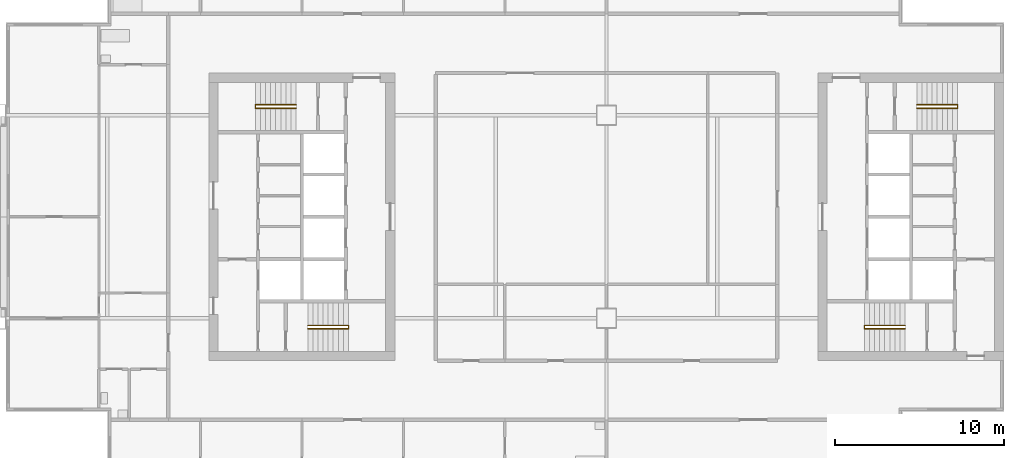
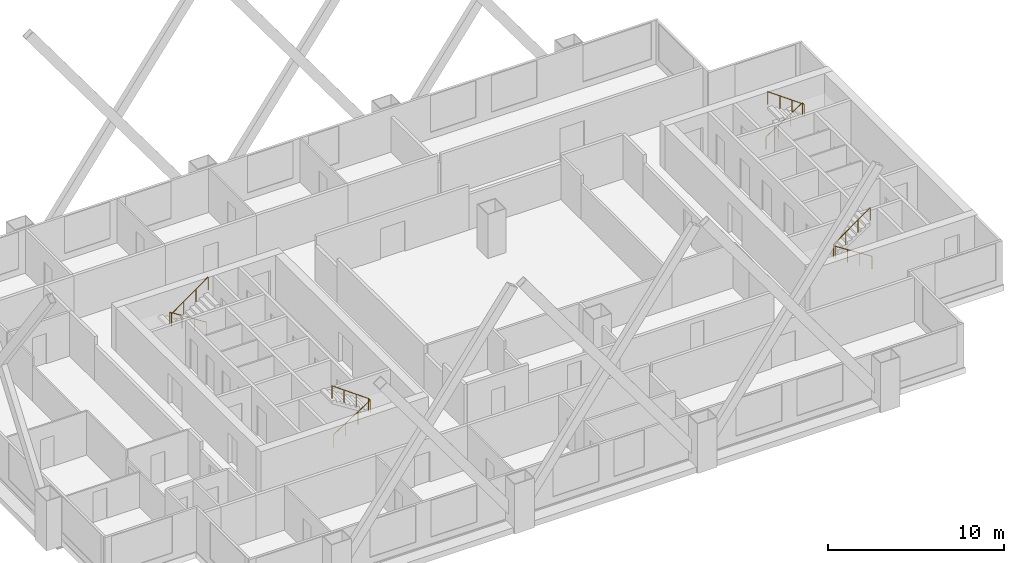
# One storey, part 7 of 8: 4 railings.
"""IFC4 building model written with IfcOpenShell, lengths in metres."""

from ifc_helpers import new_model, si_unit, direction, frame, origin, origin_2d, place, context, subcontext, project, spatial, circle, extrude, material, type_object, element, save


model = new_model("IFC4")

# Units and contexts
model_context = context("Model", 3, precision=1e-05, world=origin(), true_north=direction((0.0, 1.0)))
body_context = subcontext(model_context, "Body", "Model", "MODEL_VIEW")
ifc_project = project(units=[si_unit("LENGTHUNIT", "METRE"), si_unit("AREAUNIT", "SQUARE_METRE"), si_unit("VOLUMEUNIT", "CUBIC_METRE"), si_unit("PLANEANGLEUNIT", "RADIAN"), si_unit("MASSUNIT", "GRAM", prefix="KILO")], contexts=[model_context])

# Site, building, storey
site_placement = place(None, origin())
site = spatial("IfcSite", under=ifc_project, at=site_placement, CompositionType="ELEMENT")
building_placement = place(site_placement, origin())
building = spatial("IfcBuilding", under=site, at=building_placement, Name="Kitamizu Gate Tower and Museum", CompositionType="ELEMENT")
storey_placement = place(building_placement, frame((0.0, 0.0, 158.25)))
storey = spatial("IfcBuildingStorey", under=building, at=storey_placement, Name="L41", CompositionType="ELEMENT", Elevation=158.25)

# Railings
ifc_material = material(Name="Stainless steel SUS304", Category="steel")
railing_type = type_object("IfcRailingType", Name="Stair handrail 900", PredefinedType="HANDRAIL", material=ifc_material)
railing_1_placement = place(storey_placement, frame((18.35009765625, 23.375, 0.191650390625)))
element("IfcRailing", 1, at=railing_1_placement, inside=storey, type_object=railing_type, Name="Stair handrail ST1", PredefinedType="HANDRAIL", context=body_context, shape_type="SweptSolid", body=[
    extrude(circle(Radius=0.02392578125, at=origin_2d()), frame((0.0, 0.0, 0.8759765625), z_axis=(0.842668169335, 0.0, 0.538433242278), x_axis=(0.0, 1.0, 0.0)), (0.0, 0.0, 1.0), 2.847900390625),
    extrude(circle(Radius=0.02392578125, at=origin_2d()), frame((2.39990234375, 0.0, 2.4091796875), z_axis=(0.0, 1.0, 0.0), x_axis=(-1.0, 0.0, 0.0)), (0.0, 0.0, 1.0), 0.199951171875),
    extrude(circle(Radius=0.02392578125, at=origin_2d()), frame((2.39990234375, 0.199951171875, 2.4091796875), z_axis=(-0.81202760531, 0.0, 0.583619026604), x_axis=(0.0, -1.0, 0.0)), (0.0, 0.0, 1.0), 2.955322265625),
    extrude(circle(Radius=0.02099609375, at=origin_2d()), origin(), (0.0, 0.0, 1.0), 0.851806640625),
    extrude(circle(Radius=0.02099609375, at=origin_2d()), frame((0.800048828125, 0.0, 0.51123046875)), (0.0, 0.0, 1.0), 0.851806640625),
    extrude(circle(Radius=0.02099609375, at=origin_2d()), frame((1.599853515625, 0.0, 1.022216796875)), (0.0, 0.0, 1.0), 0.851806640625),
    extrude(circle(Radius=0.02099609375, at=origin_2d()), frame((2.39990234375, 0.0, 1.533447265625)), (0.0, 0.0, 1.0), 0.851806640625),
    extrude(circle(Radius=0.02099609375, at=origin_2d()), frame((2.39990234375, 0.199951171875, 1.533447265625)), (0.0, 0.0, 1.0), 0.851806640625),
    extrude(circle(Radius=0.02099609375, at=origin_2d()), frame((1.599853515625, 0.199951171875, 2.1083984375)), (0.0, 0.0, 1.0), 0.851806640625),
    extrude(circle(Radius=0.02099609375, at=origin_2d()), frame((0.800048828125, 0.199951171875, 2.683349609375)), (0.0, 0.0, 1.0), 0.851806640625),
    extrude(circle(Radius=0.02099609375, at=origin_2d()), frame((0.0, 0.199951171875, 3.25830078125)), (0.0, 0.0, 1.0), 0.851806640625),
])
railing_2_placement = place(storey_placement, frame((17.64990234375, 36.625, 0.191650390625)))
element("IfcRailing", 2, at=railing_2_placement, inside=storey, type_object=railing_type, Name="Stair handrail ST2", PredefinedType="HANDRAIL", context=body_context, shape_type="SweptSolid", body=[
    extrude(circle(Radius=0.02392578125, at=origin_2d()), frame((0.0, 0.0, 0.8759765625), z_axis=(-0.842668169335, 0.0, 0.538433242278), x_axis=(0.0, -1.0, 0.0)), (0.0, 0.0, 1.0), 2.847900390625),
    extrude(circle(Radius=0.02392578125, at=origin_2d()), frame((-2.39990234375, 0.0, 2.4091796875), z_axis=(0.0, -1.0, 0.0), x_axis=(1.0, 0.0, 0.0)), (0.0, 0.0, 1.0), 0.199951171875),
    extrude(circle(Radius=0.02392578125, at=origin_2d()), frame((-2.39990234375, -0.199951171875, 2.4091796875), z_axis=(0.81202760531, 0.0, 0.583619026604), x_axis=(0.0, 1.0, 0.0)), (0.0, 0.0, 1.0), 2.955322265625),
    extrude(circle(Radius=0.02099609375, at=origin_2d()), origin(), (0.0, 0.0, 1.0), 0.851806640625),
    extrude(circle(Radius=0.02099609375, at=origin_2d()), frame((-0.800048828125, 0.0, 0.51123046875)), (0.0, 0.0, 1.0), 0.851806640625),
    extrude(circle(Radius=0.02099609375, at=origin_2d()), frame((-1.599853515625, 0.0, 1.022216796875)), (0.0, 0.0, 1.0), 0.851806640625),
    extrude(circle(Radius=0.02099609375, at=origin_2d()), frame((-2.39990234375, 0.0, 1.533447265625)), (0.0, 0.0, 1.0), 0.851806640625),
    extrude(circle(Radius=0.02099609375, at=origin_2d()), frame((-2.39990234375, -0.199951171875, 1.533447265625)), (0.0, 0.0, 1.0), 0.851806640625),
    extrude(circle(Radius=0.02099609375, at=origin_2d()), frame((-1.599853515625, -0.199951171875, 2.1083984375)), (0.0, 0.0, 1.0), 0.851806640625),
    extrude(circle(Radius=0.02099609375, at=origin_2d()), frame((-0.800048828125, -0.199951171875, 2.683349609375)), (0.0, 0.0, 1.0), 0.851806640625),
    extrude(circle(Radius=0.02099609375, at=origin_2d()), frame((0.0, -0.199951171875, 3.25830078125)), (0.0, 0.0, 1.0), 0.851806640625),
])
railing_3_placement = place(storey_placement, frame((53.64990234375, 23.375, 0.191650390625)))
element("IfcRailing", 3, at=railing_3_placement, inside=storey, type_object=railing_type, Name="Stair handrail ST3", PredefinedType="HANDRAIL", context=body_context, shape_type="SweptSolid", body=[
    extrude(circle(Radius=0.02392578125, at=origin_2d()), frame((0.0, 0.0, 0.8759765625), z_axis=(-0.842668169335, 0.0, 0.538433242278), x_axis=(0.0, -1.0, 0.0)), (0.0, 0.0, 1.0), 2.847900390625),
    extrude(circle(Radius=0.02392578125, at=origin_2d()), frame((-2.39990234375, 0.0, 2.4091796875), z_axis=(0.0, 1.0, 0.0), x_axis=(-1.0, 0.0, 0.0)), (0.0, 0.0, 1.0), 0.199951171875),
    extrude(circle(Radius=0.02392578125, at=origin_2d()), frame((-2.39990234375, 0.199951171875, 2.4091796875), z_axis=(0.81202760531, 0.0, 0.583619026604), x_axis=(0.0, 1.0, 0.0)), (0.0, 0.0, 1.0), 2.955322265625),
    extrude(circle(Radius=0.02099609375, at=origin_2d()), origin(), (0.0, 0.0, 1.0), 0.851806640625),
    extrude(circle(Radius=0.02099609375, at=origin_2d()), frame((-0.800048828125, 0.0, 0.51123046875)), (0.0, 0.0, 1.0), 0.851806640625),
    extrude(circle(Radius=0.02099609375, at=origin_2d()), frame((-1.599853515625, 0.0, 1.022216796875)), (0.0, 0.0, 1.0), 0.851806640625),
    extrude(circle(Radius=0.02099609375, at=origin_2d()), frame((-2.39990234375, 0.0, 1.533447265625)), (0.0, 0.0, 1.0), 0.851806640625),
    extrude(circle(Radius=0.02099609375, at=origin_2d()), frame((-2.39990234375, 0.199951171875, 1.533447265625)), (0.0, 0.0, 1.0), 0.851806640625),
    extrude(circle(Radius=0.02099609375, at=origin_2d()), frame((-1.599853515625, 0.199951171875, 2.1083984375)), (0.0, 0.0, 1.0), 0.851806640625),
    extrude(circle(Radius=0.02099609375, at=origin_2d()), frame((-0.800048828125, 0.199951171875, 2.683349609375)), (0.0, 0.0, 1.0), 0.851806640625),
    extrude(circle(Radius=0.02099609375, at=origin_2d()), frame((0.0, 0.199951171875, 3.25830078125)), (0.0, 0.0, 1.0), 0.851806640625),
])
railing_4_placement = place(storey_placement, frame((54.35009765625, 36.625, 0.191650390625)))
element("IfcRailing", 4, at=railing_4_placement, inside=storey, type_object=railing_type, Name="Stair handrail ST4", PredefinedType="HANDRAIL", context=body_context, shape_type="SweptSolid", body=[
    extrude(circle(Radius=0.02392578125, at=origin_2d()), frame((0.0, 0.0, 0.8759765625), z_axis=(0.842668169335, 0.0, 0.538433242278), x_axis=(0.0, 1.0, 0.0)), (0.0, 0.0, 1.0), 2.847900390625),
    extrude(circle(Radius=0.02392578125, at=origin_2d()), frame((2.39990234375, 0.0, 2.4091796875), z_axis=(0.0, -1.0, 0.0), x_axis=(1.0, 0.0, 0.0)), (0.0, 0.0, 1.0), 0.199951171875),
    extrude(circle(Radius=0.02392578125, at=origin_2d()), frame((2.39990234375, -0.199951171875, 2.4091796875), z_axis=(-0.81202760531, 0.0, 0.583619026604), x_axis=(0.0, -1.0, 0.0)), (0.0, 0.0, 1.0), 2.955322265625),
    extrude(circle(Radius=0.02099609375, at=origin_2d()), origin(), (0.0, 0.0, 1.0), 0.851806640625),
    extrude(circle(Radius=0.02099609375, at=origin_2d()), frame((0.800048828125, 0.0, 0.51123046875)), (0.0, 0.0, 1.0), 0.851806640625),
    extrude(circle(Radius=0.02099609375, at=origin_2d()), frame((1.599853515625, 0.0, 1.022216796875)), (0.0, 0.0, 1.0), 0.851806640625),
    extrude(circle(Radius=0.02099609375, at=origin_2d()), frame((2.39990234375, 0.0, 1.533447265625)), (0.0, 0.0, 1.0), 0.851806640625),
    extrude(circle(Radius=0.02099609375, at=origin_2d()), frame((2.39990234375, -0.199951171875, 1.533447265625)), (0.0, 0.0, 1.0), 0.851806640625),
    extrude(circle(Radius=0.02099609375, at=origin_2d()), frame((1.599853515625, -0.199951171875, 2.1083984375)), (0.0, 0.0, 1.0), 0.851806640625),
    extrude(circle(Radius=0.02099609375, at=origin_2d()), frame((0.800048828125, -0.199951171875, 2.683349609375)), (0.0, 0.0, 1.0), 0.851806640625),
    extrude(circle(Radius=0.02099609375, at=origin_2d()), frame((0.0, -0.199951171875, 3.25830078125)), (0.0, 0.0, 1.0), 0.851806640625),
])

save(model, "model.ifc")
